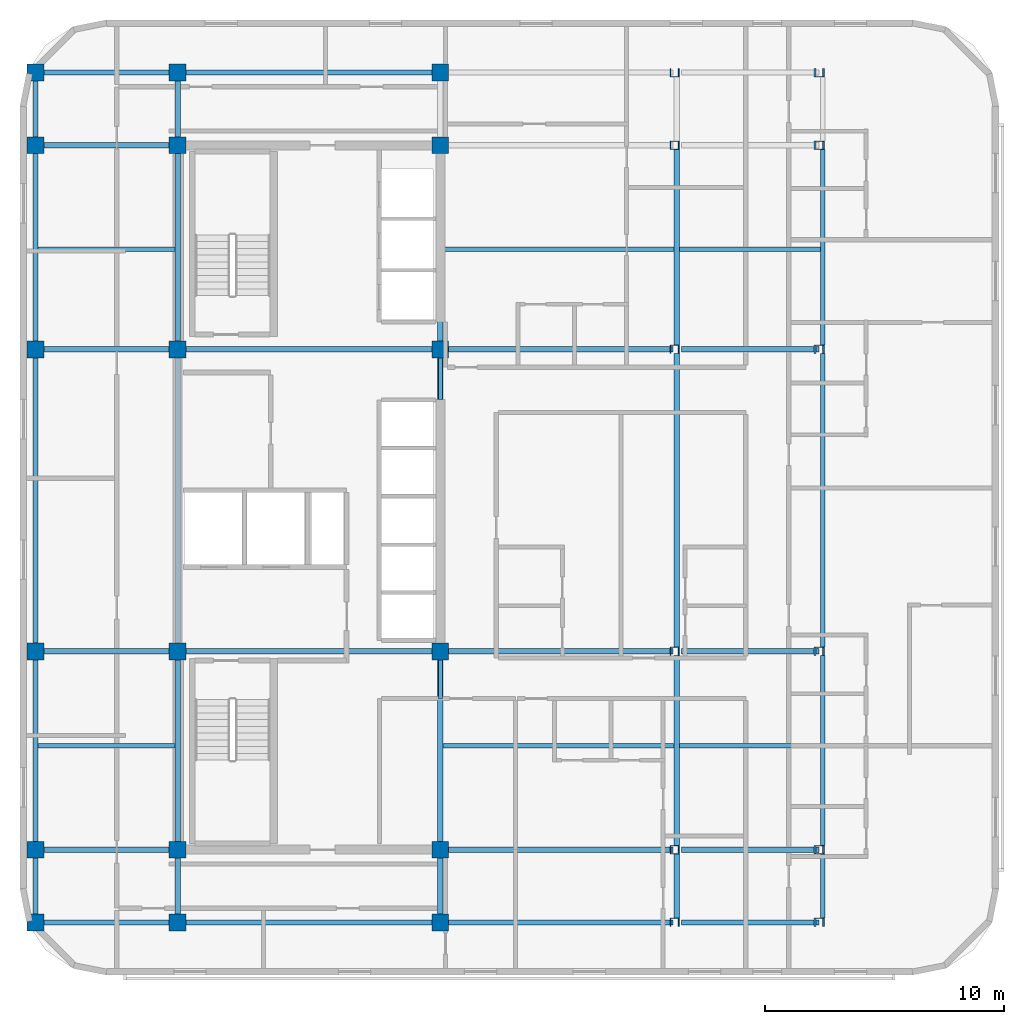
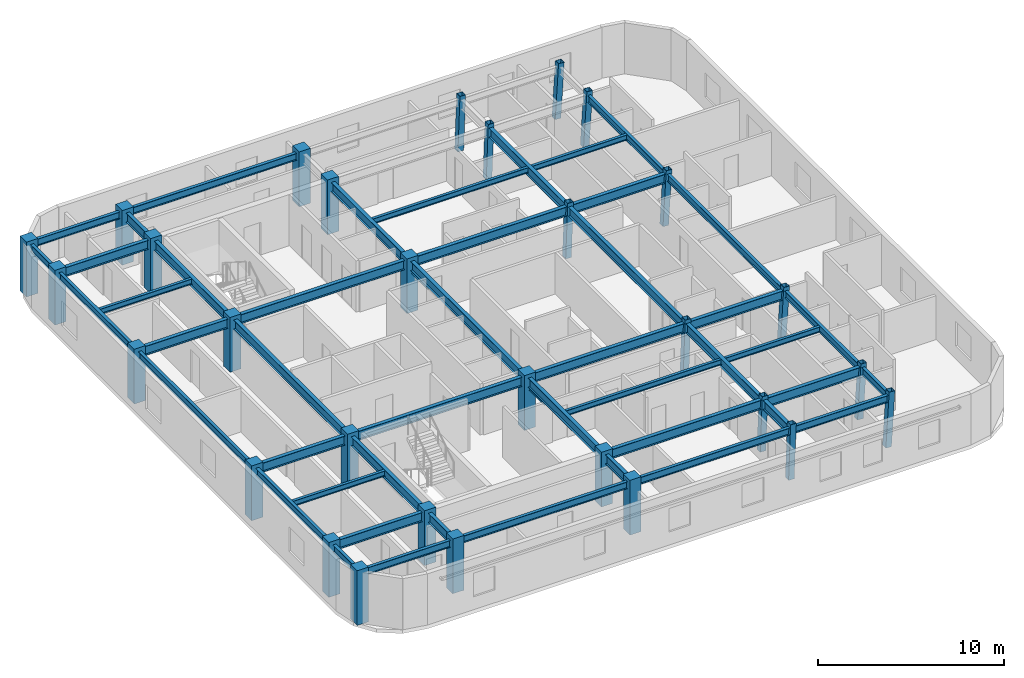
# One storey, part 1 of 10: 48 beams, 30 columns.
"""IFC4 building model written with IfcOpenShell, lengths in metres."""

from ifc_helpers import new_model, si_unit, direction, frame, origin, origin_2d, place, context, subcontext, project, spatial, rectangle, hollow_rectangle, i_section, extrude, material, material_profile, profile_set, type_object, element, save


model = new_model("IFC4")

# Units and contexts
model_context = context("Model", 3, precision=1e-05, world=origin(), true_north=direction((0.0, 1.0)))
body_context = subcontext(model_context, "Body", "Model", "MODEL_VIEW")
ifc_project = project(units=[si_unit("LENGTHUNIT", "METRE"), si_unit("AREAUNIT", "SQUARE_METRE"), si_unit("VOLUMEUNIT", "CUBIC_METRE"), si_unit("PLANEANGLEUNIT", "RADIAN"), si_unit("MASSUNIT", "GRAM", prefix="KILO")], contexts=[model_context])

# Site, building, storey
site_placement = place(None, origin())
site = spatial("IfcSite", under=ifc_project, at=site_placement, CompositionType="ELEMENT")
building_placement = place(site_placement, origin())
building = spatial("IfcBuilding", under=site, at=building_placement, Name="Ochreholt Gables", CompositionType="ELEMENT")
storey_placement = place(building_placement, frame((0.0, 0.0, 144.60009765625)))
storey = spatial("IfcBuildingStorey", under=building, at=storey_placement, Name="L37", CompositionType="ELEMENT", Elevation=144.60009765625)

# Columns
ifc_material_1 = material(Name="Steel CSA G40.21 350W", Category="steel")
ifc_material_profile_1 = material_profile(ifc_material_1, hollow_rectangle(XDim=0.35595703125, YDim=0.35595703125, WallThickness=0.01611328125, at=origin_2d()), Name="HSS356X356X16")
ifc_profile_set_1 = profile_set([ifc_material_profile_1], Name="Steel CSA G40.21 350W")
column_type_1 = type_object("IfcColumnType", Name="COL-HSS356-RAK", PredefinedType="COLUMN", material=ifc_profile_set_1)
for number, where, z_axis, x_axis, name in (
    (1, (44.9970703125, 9.25, 0.0), (0.034973505036, 0.0, 0.999388239847), (0.0, 1.0, 0.0), "L37 Column EMY2"),
    (2, (44.9970703125, 17.550048828125, 0.0), (0.034973505036, 0.0, 0.999388239847), (0.0, 1.0, 0.0), "L37 Column EMY3"),
    (3, (44.9970703125, 30.199951171875, 0.0), (0.034973505036, 0.0, 0.999388239847), (0.0, 1.0, 0.0), "L37 Column EMY4"),
    (4, (44.9970703125, 38.75, 0.0), (0.034973505036, 0.0, 0.999388239847), (0.0, 1.0, 0.0), "L37 Column EMY5"),
):
    element("IfcColumn", number, at=place(storey_placement, frame(where, z_axis=z_axis, x_axis=x_axis)), inside=storey, type_object=column_type_1, Name=name, PredefinedType="COLUMN", context=body_context, shape_type="SweptSolid", body=[
        extrude(hollow_rectangle(XDim=0.35595703125, YDim=0.35595703125, WallThickness=0.01611328125, at=origin_2d()), origin(), (0.0, 0.0, 1.0), 3.60205078125),
    ])
ifc_material_profile_2 = material_profile(ifc_material_1, hollow_rectangle(XDim=0.35595703125, YDim=0.35595703125, WallThickness=0.01611328125, at=origin_2d()), Name="HSS356X356X16")
ifc_profile_set_2 = profile_set([ifc_material_profile_2], Name="Steel CSA G40.21 350W")
column_type_2 = type_object("IfcColumnType", Name="COL-HSS356-RAKE", PredefinedType="COLUMN", material=ifc_profile_set_2)
for number, where, z_axis, x_axis, name in (
    (5, (44.9970703125, 6.199951171875, 0.0), (0.034973505036, 0.0, 0.999388239847), (0.0, 1.0, 0.0), "L37 Column EMY1"),
    (6, (44.9970703125, 41.800048828125, 0.0), (0.034973505036, 0.0, 0.999388239847), (0.0, 1.0, 0.0), "L37 Column EMY6"),
):
    element("IfcColumn", number, at=place(storey_placement, frame(where, z_axis=z_axis, x_axis=x_axis)), inside=storey, type_object=column_type_2, Name=name, PredefinedType="COLUMN", context=body_context, shape_type="SweptSolid", body=[
        extrude(hollow_rectangle(XDim=0.35595703125, YDim=0.35595703125, WallThickness=0.01611328125, at=origin_2d()), origin(), (0.0, 0.0, 1.0), 3.60205078125),
    ])
for number, where, z_axis, x_axis, name in (
    (7, (51.043701171875, 6.199951171875, 0.0), (0.057888518877, 0.0, 0.998323053617), (0.0, 1.0, 0.0), "L37 Column EEY1"),
    (8, (51.043701171875, 9.25, 0.0), (0.057888518877, 0.0, 0.998323053617), (0.0, 1.0, 0.0), "L37 Column EEY2"),
    (9, (51.043701171875, 17.550048828125, 0.0), (0.057888518877, 0.0, 0.998323053617), (0.0, 1.0, 0.0), "L37 Column EEY3"),
    (10, (51.043701171875, 30.199951171875, 0.0), (0.057888518877, 0.0, 0.998323053617), (0.0, 1.0, 0.0), "L37 Column EEY4"),
    (11, (51.043701171875, 38.75, 0.0), (0.057888518877, 0.0, 0.998323053617), (0.0, 1.0, 0.0), "L37 Column EEY5"),
    (12, (51.043701171875, 41.800048828125, 0.0), (0.057888518877, 0.0, 0.998323053617), (0.0, 1.0, 0.0), "L37 Column EEY6"),
):
    element("IfcColumn", number, at=place(storey_placement, frame(where, z_axis=z_axis, x_axis=x_axis)), inside=storey, type_object=column_type_2, Name=name, PredefinedType="COLUMN", context=body_context, shape_type="SweptSolid", body=[
        extrude(hollow_rectangle(XDim=0.35595703125, YDim=0.35595703125, WallThickness=0.01611328125, at=origin_2d()), origin(), (0.0, 0.0, 1.0), 3.60595703125),
    ])
ifc_material_2 = material(Name="Concrete 50 MPa", Category="concrete")
ifc_material_profile_3 = material_profile(ifc_material_2, rectangle(XDim=0.699951171875, YDim=0.699951171875, at=origin_2d()), Name="RC700X700")
ifc_profile_set_3 = profile_set([ifc_material_profile_3], Name="Concrete 50 MPa")
column_type_3 = type_object("IfcColumnType", Name="COL-RC700-EXT", PredefinedType="COLUMN", material=ifc_profile_set_3)
for number, where, z_axis, x_axis, name in (
    (13, (18.25, 6.199951171875, 0.0), (0.0, 0.0, 1.0), (1.0, 0.0, 0.0), "L37 Column W3Y1"),
    (14, (18.25, 9.25, 0.0), (0.0, 0.0, 1.0), (1.0, 0.0, 0.0), "L37 Column W3Y2"),
    (15, (18.25, 17.550048828125, 0.0), (0.0, 0.0, 1.0), (1.0, 0.0, 0.0), "L37 Column W3Y3"),
    (16, (18.25, 30.199951171875, 0.0), (0.0, 0.0, 1.0), (1.0, 0.0, 0.0), "L37 Column W3Y4"),
    (17, (18.25, 38.75, 0.0), (0.0, 0.0, 1.0), (1.0, 0.0, 0.0), "L37 Column W3Y5"),
    (18, (18.25, 41.800048828125, 0.0), (0.0, 0.0, 1.0), (1.0, 0.0, 0.0), "L37 Column W3Y6"),
    (19, (24.199951171875, 6.199951171875, 0.0), (0.0, 0.0, 1.0), (1.0, 0.0, 0.0), "L37 Column C1Y1"),
    (20, (24.199951171875, 41.800048828125, 0.0), (0.0, 0.0, 1.0), (1.0, 0.0, 0.0), "L37 Column C1Y6"),
    (21, (35.199951171875, 6.199951171875, 0.0), (0.0, 0.0, 1.0), (1.0, 0.0, 0.0), "L37 Column C2Y1"),
    (22, (35.199951171875, 41.800048828125, 0.0), (0.0, 0.0, 1.0), (1.0, 0.0, 0.0), "L37 Column C2Y6"),
):
    element("IfcColumn", number, at=place(storey_placement, frame(where, z_axis=z_axis, x_axis=x_axis)), inside=storey, type_object=column_type_3, Name=name, PredefinedType="COLUMN", context=body_context, shape_type="SweptSolid", body=[
        extrude(rectangle(XDim=0.699951171875, YDim=0.699951171875, at=origin_2d()), origin(), (0.0, 0.0, 1.0), 3.599853515625),
    ])
ifc_material_profile_4 = material_profile(ifc_material_2, rectangle(XDim=0.699951171875, YDim=0.699951171875, at=origin_2d()), Name="RC700X700")
ifc_profile_set_4 = profile_set([ifc_material_profile_4], Name="Concrete 50 MPa")
column_type_4 = type_object("IfcColumnType", Name="COL-RC700-INT", PredefinedType="COLUMN", material=ifc_profile_set_4)
for number, where, z_axis, x_axis, name in (
    (23, (24.199951171875, 9.25, 0.0), (0.0, 0.0, 1.0), (1.0, 0.0, 0.0), "L37 Column C1Y2"),
    (24, (24.199951171875, 17.550048828125, 0.0), (0.0, 0.0, 1.0), (1.0, 0.0, 0.0), "L37 Column C1Y3"),
    (25, (24.199951171875, 30.199951171875, 0.0), (0.0, 0.0, 1.0), (1.0, 0.0, 0.0), "L37 Column C1Y4"),
    (26, (24.199951171875, 38.75, 0.0), (0.0, 0.0, 1.0), (1.0, 0.0, 0.0), "L37 Column C1Y5"),
    (27, (35.199951171875, 9.25, 0.0), (0.0, 0.0, 1.0), (1.0, 0.0, 0.0), "L37 Column C2Y2"),
    (28, (35.199951171875, 17.550048828125, 0.0), (0.0, 0.0, 1.0), (1.0, 0.0, 0.0), "L37 Column C2Y3"),
    (29, (35.199951171875, 30.199951171875, 0.0), (0.0, 0.0, 1.0), (1.0, 0.0, 0.0), "L37 Column C2Y4"),
    (30, (35.199951171875, 38.75, 0.0), (0.0, 0.0, 1.0), (1.0, 0.0, 0.0), "L37 Column C2Y5"),
):
    element("IfcColumn", number, at=place(storey_placement, frame(where, z_axis=z_axis, x_axis=x_axis)), inside=storey, type_object=column_type_4, Name=name, PredefinedType="COLUMN", context=body_context, shape_type="SweptSolid", body=[
        extrude(rectangle(XDim=0.699951171875, YDim=0.699951171875, at=origin_2d()), origin(), (0.0, 0.0, 1.0), 3.599853515625),
    ])

# Beams
ifc_material_profile_5 = material_profile(ifc_material_1, i_section(OverallWidth=0.22900390625, OverallDepth=0.612060546875, WebThickness=0.011962890625, FlangeThickness=0.01953125, at=origin_2d()), Name="W610X125")
ifc_profile_set_5 = profile_set([ifc_material_profile_5], Name="Steel CSA G40.21 350W")
beam_type_1 = type_object("IfcBeamType", Name="BM-G-W610B", PredefinedType="BEAM", material=ifc_profile_set_5)
beam_1_placement = place(storey_placement, frame((18.599609375, 9.25, 3.053955078125), z_axis=(1.0, 0.0, 0.0), x_axis=(0.0, 1.0, 0.0)))
element("IfcBeam", 31, at=beam_1_placement, inside=storey, type_object=beam_type_1, Name="L37 Beam TBG-L37-W3C1-Y2", PredefinedType="BEAM", context=body_context, shape_type="SweptSolid", body=[
    extrude(i_section(OverallWidth=0.22900390625, OverallDepth=0.612060546875, WebThickness=0.011962890625, FlangeThickness=0.01953125, at=origin_2d()), origin(), (0.0, 0.0, 1.0), 5.250732421875),
])
beam_2_placement = place(storey_placement, frame((35.549560546875, 9.25, 3.053955078125), z_axis=(1.0, 0.0, 0.0), x_axis=(0.0, 1.0, 0.0)))
element("IfcBeam", 32, at=beam_2_placement, inside=storey, type_object=beam_type_1, Name="L37 Beam TBG-L37-C2EM-Y2", PredefinedType="BEAM", context=body_context, shape_type="SweptSolid", body=[
    extrude(i_section(OverallWidth=0.22900390625, OverallDepth=0.612060546875, WebThickness=0.011962890625, FlangeThickness=0.01953125, at=origin_2d()), origin(), (0.0, 0.0, 1.0), 9.395751953125),
])
beam_3_placement = place(storey_placement, frame((45.300537109375, 9.25, 3.053955078125), z_axis=(1.0, 0.0, 0.0), x_axis=(0.0, 1.0, 0.0)))
element("IfcBeam", 33, at=beam_3_placement, inside=storey, type_object=beam_type_1, Name="L37 Beam TBG-L37-EMEE-Y2", PredefinedType="BEAM", context=body_context, shape_type="SweptSolid", body=[
    extrude(i_section(OverallWidth=0.22900390625, OverallDepth=0.612060546875, WebThickness=0.011962890625, FlangeThickness=0.01953125, at=origin_2d()), origin(), (0.0, 0.0, 1.0), 5.774169921875),
])
beam_4_placement = place(storey_placement, frame((18.599609375, 17.550048828125, 3.053955078125), z_axis=(1.0, 0.0, 0.0), x_axis=(0.0, 1.0, 0.0)))
element("IfcBeam", 34, at=beam_4_placement, inside=storey, type_object=beam_type_1, Name="L37 Beam TBG-L37-W3C1-Y3", PredefinedType="BEAM", context=body_context, shape_type="SweptSolid", body=[
    extrude(i_section(OverallWidth=0.22900390625, OverallDepth=0.612060546875, WebThickness=0.011962890625, FlangeThickness=0.01953125, at=origin_2d()), origin(), (0.0, 0.0, 1.0), 5.250732421875),
])
beam_5_placement = place(storey_placement, frame((24.549560546875, 17.550048828125, 3.053955078125), z_axis=(1.0, 0.0, 0.0), x_axis=(0.0, 1.0, 0.0)))
element("IfcBeam", 35, at=beam_5_placement, inside=storey, type_object=beam_type_1, Name="L37 Beam TBG-L37-C1C2-Y3", PredefinedType="BEAM", context=body_context, shape_type="SweptSolid", body=[
    extrude(i_section(OverallWidth=0.22900390625, OverallDepth=0.612060546875, WebThickness=0.011962890625, FlangeThickness=0.01953125, at=origin_2d()), origin(), (0.0, 0.0, 1.0), 10.30078125),
])
beam_6_placement = place(storey_placement, frame((35.549560546875, 17.550048828125, 3.053955078125), z_axis=(1.0, 0.0, 0.0), x_axis=(0.0, 1.0, 0.0)))
element("IfcBeam", 36, at=beam_6_placement, inside=storey, type_object=beam_type_1, Name="L37 Beam TBG-L37-C2EM-Y3", PredefinedType="BEAM", context=body_context, shape_type="SweptSolid", body=[
    extrude(i_section(OverallWidth=0.22900390625, OverallDepth=0.612060546875, WebThickness=0.011962890625, FlangeThickness=0.01953125, at=origin_2d()), origin(), (0.0, 0.0, 1.0), 9.395751953125),
])
beam_7_placement = place(storey_placement, frame((45.300537109375, 17.550048828125, 3.053955078125), z_axis=(1.0, 0.0, 0.0), x_axis=(0.0, 1.0, 0.0)))
element("IfcBeam", 37, at=beam_7_placement, inside=storey, type_object=beam_type_1, Name="L37 Beam TBG-L37-EMEE-Y3", PredefinedType="BEAM", context=body_context, shape_type="SweptSolid", body=[
    extrude(i_section(OverallWidth=0.22900390625, OverallDepth=0.612060546875, WebThickness=0.011962890625, FlangeThickness=0.01953125, at=origin_2d()), origin(), (0.0, 0.0, 1.0), 5.774169921875),
])
beam_8_placement = place(storey_placement, frame((18.599609375, 30.199951171875, 3.053955078125), z_axis=(1.0, 0.0, 0.0), x_axis=(0.0, 1.0, 0.0)))
element("IfcBeam", 38, at=beam_8_placement, inside=storey, type_object=beam_type_1, Name="L37 Beam TBG-L37-W3C1-Y4", PredefinedType="BEAM", context=body_context, shape_type="SweptSolid", body=[
    extrude(i_section(OverallWidth=0.22900390625, OverallDepth=0.612060546875, WebThickness=0.011962890625, FlangeThickness=0.01953125, at=origin_2d()), origin(), (0.0, 0.0, 1.0), 5.250732421875),
])
beam_9_placement = place(storey_placement, frame((24.549560546875, 30.199951171875, 3.053955078125), z_axis=(1.0, 0.0, 0.0), x_axis=(0.0, 1.0, 0.0)))
element("IfcBeam", 39, at=beam_9_placement, inside=storey, type_object=beam_type_1, Name="L37 Beam TBG-L37-C1C2-Y4", PredefinedType="BEAM", context=body_context, shape_type="SweptSolid", body=[
    extrude(i_section(OverallWidth=0.22900390625, OverallDepth=0.612060546875, WebThickness=0.011962890625, FlangeThickness=0.01953125, at=origin_2d()), origin(), (0.0, 0.0, 1.0), 10.30078125),
])
beam_10_placement = place(storey_placement, frame((35.549560546875, 30.199951171875, 3.053955078125), z_axis=(1.0, 0.0, 0.0), x_axis=(0.0, 1.0, 0.0)))
element("IfcBeam", 40, at=beam_10_placement, inside=storey, type_object=beam_type_1, Name="L37 Beam TBG-L37-C2EM-Y4", PredefinedType="BEAM", context=body_context, shape_type="SweptSolid", body=[
    extrude(i_section(OverallWidth=0.22900390625, OverallDepth=0.612060546875, WebThickness=0.011962890625, FlangeThickness=0.01953125, at=origin_2d()), origin(), (0.0, 0.0, 1.0), 9.395751953125),
])
beam_11_placement = place(storey_placement, frame((45.300537109375, 30.199951171875, 3.053955078125), z_axis=(1.0, 0.0, 0.0), x_axis=(0.0, 1.0, 0.0)))
element("IfcBeam", 41, at=beam_11_placement, inside=storey, type_object=beam_type_1, Name="L37 Beam TBG-L37-EMEE-Y4", PredefinedType="BEAM", context=body_context, shape_type="SweptSolid", body=[
    extrude(i_section(OverallWidth=0.22900390625, OverallDepth=0.612060546875, WebThickness=0.011962890625, FlangeThickness=0.01953125, at=origin_2d()), origin(), (0.0, 0.0, 1.0), 5.774169921875),
])
beam_12_placement = place(storey_placement, frame((18.599609375, 38.75, 3.053955078125), z_axis=(1.0, 0.0, 0.0), x_axis=(0.0, 1.0, 0.0)))
element("IfcBeam", 42, at=beam_12_placement, inside=storey, type_object=beam_type_1, Name="L37 Beam TBG-L37-W3C1-Y5", PredefinedType="BEAM", context=body_context, shape_type="SweptSolid", body=[
    extrude(i_section(OverallWidth=0.22900390625, OverallDepth=0.612060546875, WebThickness=0.011962890625, FlangeThickness=0.01953125, at=origin_2d()), origin(), (0.0, 0.0, 1.0), 5.250732421875),
])
beam_13_placement = place(storey_placement, frame((24.199951171875, 6.549560546875, 3.053955078125), z_axis=(0.0, 1.0, 0.0), x_axis=(-1.0, 0.0, 0.0)))
element("IfcBeam", 43, at=beam_13_placement, inside=storey, type_object=beam_type_1, Name="L37 Beam TBN-L37-C1-Y1Y2", PredefinedType="BEAM", context=body_context, shape_type="SweptSolid", body=[
    extrude(i_section(OverallWidth=0.22900390625, OverallDepth=0.612060546875, WebThickness=0.011962890625, FlangeThickness=0.01953125, at=origin_2d()), origin(), (0.0, 0.0, 1.0), 2.350830078125),
])
beam_14_placement = place(storey_placement, frame((24.199951171875, 9.599609375, 3.053955078125), z_axis=(0.0, 1.0, 0.0), x_axis=(-1.0, 0.0, 0.0)))
element("IfcBeam", 44, at=beam_14_placement, inside=storey, type_object=beam_type_1, Name="L37 Beam TBN-L37-C1-Y2Y3", PredefinedType="BEAM", context=body_context, shape_type="SweptSolid", body=[
    extrude(i_section(OverallWidth=0.22900390625, OverallDepth=0.612060546875, WebThickness=0.011962890625, FlangeThickness=0.01953125, at=origin_2d()), origin(), (0.0, 0.0, 1.0), 7.600830078125),
])
beam_15_placement = place(storey_placement, frame((24.199951171875, 17.899658203125, 3.053955078125), z_axis=(0.0, 1.0, 0.0), x_axis=(-1.0, 0.0, 0.0)))
element("IfcBeam", 45, at=beam_15_placement, inside=storey, type_object=beam_type_1, Name="L37 Beam TBN-L37-C1-Y3Y4", PredefinedType="BEAM", context=body_context, shape_type="SweptSolid", body=[
    extrude(i_section(OverallWidth=0.22900390625, OverallDepth=0.612060546875, WebThickness=0.011962890625, FlangeThickness=0.01953125, at=origin_2d()), origin(), (0.0, 0.0, 1.0), 11.95068359375),
])
beam_16_placement = place(storey_placement, frame((24.199951171875, 30.549560546875, 3.053955078125), z_axis=(0.0, 1.0, 0.0), x_axis=(-1.0, 0.0, 0.0)))
element("IfcBeam", 46, at=beam_16_placement, inside=storey, type_object=beam_type_1, Name="L37 Beam TBN-L37-C1-Y4Y5", PredefinedType="BEAM", context=body_context, shape_type="SweptSolid", body=[
    extrude(i_section(OverallWidth=0.22900390625, OverallDepth=0.612060546875, WebThickness=0.011962890625, FlangeThickness=0.01953125, at=origin_2d()), origin(), (0.0, 0.0, 1.0), 7.850830078125),
])
for number, where, z_axis, x_axis, name in (
    (47, (24.199951171875, 39.099609375, 3.053955078125), (0.0, 1.0, 0.0), (-1.0, 0.0, 0.0), "L37 Beam TBN-L37-C1-Y5Y6"),
    (48, (35.199951171875, 6.549560546875, 3.053955078125), (0.0, 1.0, 0.0), (-1.0, 0.0, 0.0), "L37 Beam TBN-L37-C2-Y1Y2"),
):
    element("IfcBeam", number, at=place(storey_placement, frame(where, z_axis=z_axis, x_axis=x_axis)), inside=storey, type_object=beam_type_1, Name=name, PredefinedType="BEAM", context=body_context, shape_type="SweptSolid", body=[
        extrude(i_section(OverallWidth=0.22900390625, OverallDepth=0.612060546875, WebThickness=0.011962890625, FlangeThickness=0.01953125, at=origin_2d()), origin(), (0.0, 0.0, 1.0), 2.350830078125),
    ])
beam_17_placement = place(storey_placement, frame((35.199951171875, 9.599609375, 3.053955078125), z_axis=(0.0, 1.0, 0.0), x_axis=(-1.0, 0.0, 0.0)))
element("IfcBeam", 49, at=beam_17_placement, inside=storey, type_object=beam_type_1, Name="L37 Beam TBN-L37-C2-Y2Y3", PredefinedType="BEAM", context=body_context, shape_type="SweptSolid", body=[
    extrude(i_section(OverallWidth=0.22900390625, OverallDepth=0.612060546875, WebThickness=0.011962890625, FlangeThickness=0.01953125, at=origin_2d()), origin(), (0.0, 0.0, 1.0), 7.600830078125),
])
beam_18_placement = place(storey_placement, frame((35.199951171875, 17.899658203125, 3.053955078125), z_axis=(0.0, 1.0, 0.0), x_axis=(-1.0, 0.0, 0.0)))
element("IfcBeam", 50, at=beam_18_placement, inside=storey, type_object=beam_type_1, Name="L37 Beam TBN-L37-C2-Y3Y4", PredefinedType="BEAM", context=body_context, shape_type="SweptSolid", body=[
    extrude(i_section(OverallWidth=0.22900390625, OverallDepth=0.612060546875, WebThickness=0.011962890625, FlangeThickness=0.01953125, at=origin_2d()), origin(), (0.0, 0.0, 1.0), 11.95068359375),
])
beam_19_placement = place(storey_placement, frame((35.199951171875, 30.549560546875, 3.053955078125), z_axis=(0.0, 1.0, 0.0), x_axis=(-1.0, 0.0, 0.0)))
element("IfcBeam", 51, at=beam_19_placement, inside=storey, type_object=beam_type_1, Name="L37 Beam TBN-L37-C2-Y4Y5", PredefinedType="BEAM", context=body_context, shape_type="SweptSolid", body=[
    extrude(i_section(OverallWidth=0.22900390625, OverallDepth=0.612060546875, WebThickness=0.011962890625, FlangeThickness=0.01953125, at=origin_2d()), origin(), (0.0, 0.0, 1.0), 7.850830078125),
])
beam_20_placement = place(storey_placement, frame((45.105712890625, 6.377685546875, 3.053955078125), z_axis=(0.0, 1.0, 0.0), x_axis=(-1.0, 0.0, 0.0)))
element("IfcBeam", 52, at=beam_20_placement, inside=storey, type_object=beam_type_1, Name="L37 Beam TBN-L37-EM-Y1Y2", PredefinedType="BEAM", context=body_context, shape_type="SweptSolid", body=[
    extrude(i_section(OverallWidth=0.22900390625, OverallDepth=0.612060546875, WebThickness=0.011962890625, FlangeThickness=0.01953125, at=origin_2d()), origin(), (0.0, 0.0, 1.0), 2.69482421875),
])
beam_21_placement = place(storey_placement, frame((45.105712890625, 9.427490234375, 3.053955078125), z_axis=(0.0, 1.0, 0.0), x_axis=(-1.0, 0.0, 0.0)))
element("IfcBeam", 53, at=beam_21_placement, inside=storey, type_object=beam_type_1, Name="L37 Beam TBN-L37-EM-Y2Y3", PredefinedType="BEAM", context=body_context, shape_type="SweptSolid", body=[
    extrude(i_section(OverallWidth=0.22900390625, OverallDepth=0.612060546875, WebThickness=0.011962890625, FlangeThickness=0.01953125, at=origin_2d()), origin(), (0.0, 0.0, 1.0), 7.94482421875),
])
beam_22_placement = place(storey_placement, frame((45.105712890625, 17.7275390625, 3.053955078125), z_axis=(0.0, 1.0, 0.0), x_axis=(-1.0, 0.0, 0.0)))
element("IfcBeam", 54, at=beam_22_placement, inside=storey, type_object=beam_type_1, Name="L37 Beam TBN-L37-EM-Y3Y4", PredefinedType="BEAM", context=body_context, shape_type="SweptSolid", body=[
    extrude(i_section(OverallWidth=0.22900390625, OverallDepth=0.612060546875, WebThickness=0.011962890625, FlangeThickness=0.01953125, at=origin_2d()), origin(), (0.0, 0.0, 1.0), 12.294921875),
])
beam_23_placement = place(storey_placement, frame((45.105712890625, 30.377685546875, 3.053955078125), z_axis=(0.0, 1.0, 0.0), x_axis=(-1.0, 0.0, 0.0)))
element("IfcBeam", 55, at=beam_23_placement, inside=storey, type_object=beam_type_1, Name="L37 Beam TBN-L37-EM-Y4Y5", PredefinedType="BEAM", context=body_context, shape_type="SweptSolid", body=[
    extrude(i_section(OverallWidth=0.22900390625, OverallDepth=0.612060546875, WebThickness=0.011962890625, FlangeThickness=0.01953125, at=origin_2d()), origin(), (0.0, 0.0, 1.0), 8.19482421875),
])
ifc_material_profile_6 = material_profile(ifc_material_1, i_section(OverallWidth=0.172119140625, OverallDepth=0.35791015625, WebThickness=0.0078125, FlangeThickness=0.01318359375, at=origin_2d()), Name="W360X57")
ifc_profile_set_6 = profile_set([ifc_material_profile_6], Name="Steel CSA G40.21 350W")
beam_type_2 = type_object("IfcBeamType", Name="BM-J-W360B", PredefinedType="JOIST", material=ifc_profile_set_6)
beam_24_placement = place(storey_placement, frame((18.345703125, 13.60009765625, 3.180908203125), z_axis=(1.0, 0.0, 0.0), x_axis=(0.0, 1.0, 0.0)))
element("IfcBeam", 56, at=beam_24_placement, inside=storey, type_object=beam_type_2, Name="L37 Beam TBJ-L37-J1-W3C1", PredefinedType="JOIST", context=body_context, shape_type="SweptSolid", body=[
    extrude(i_section(OverallWidth=0.172119140625, OverallDepth=0.35791015625, WebThickness=0.0078125, FlangeThickness=0.01318359375, at=origin_2d()), origin(), (0.0, 0.0, 1.0), 5.740234375),
])
beam_25_placement = place(storey_placement, frame((35.314208984375, 13.60009765625, 3.180908203125), z_axis=(1.0, 0.0, 0.0), x_axis=(0.0, 1.0, 0.0)))
element("IfcBeam", 57, at=beam_25_placement, inside=storey, type_object=beam_type_2, Name="L37 Beam TBJ-L37-J1-C2EM", PredefinedType="JOIST", context=body_context, shape_type="SweptSolid", body=[
    extrude(i_section(OverallWidth=0.172119140625, OverallDepth=0.35791015625, WebThickness=0.0078125, FlangeThickness=0.01318359375, at=origin_2d()), origin(), (0.0, 0.0, 1.0), 9.677490234375),
])
beam_26_placement = place(storey_placement, frame((45.219970703125, 13.60009765625, 3.180908203125), z_axis=(1.0, 0.0, 0.0), x_axis=(0.0, 1.0, 0.0)))
element("IfcBeam", 58, at=beam_26_placement, inside=storey, type_object=beam_type_2, Name="L37 Beam TBJ-L37-J1-EMEE", PredefinedType="JOIST", context=body_context, shape_type="SweptSolid", body=[
    extrude(i_section(OverallWidth=0.172119140625, OverallDepth=0.35791015625, WebThickness=0.0078125, FlangeThickness=0.01318359375, at=origin_2d()), origin(), (0.0, 0.0, 1.0), 5.908447265625),
])
beam_27_placement = place(storey_placement, frame((18.345703125, 34.39990234375, 3.180908203125), z_axis=(1.0, 0.0, 0.0), x_axis=(0.0, 1.0, 0.0)))
element("IfcBeam", 59, at=beam_27_placement, inside=storey, type_object=beam_type_2, Name="L37 Beam TBJ-L37-J2-W3C1", PredefinedType="JOIST", context=body_context, shape_type="SweptSolid", body=[
    extrude(i_section(OverallWidth=0.172119140625, OverallDepth=0.35791015625, WebThickness=0.0078125, FlangeThickness=0.01318359375, at=origin_2d()), origin(), (0.0, 0.0, 1.0), 5.740234375),
])
beam_28_placement = place(storey_placement, frame((35.314208984375, 34.39990234375, 3.180908203125), z_axis=(1.0, 0.0, 0.0), x_axis=(0.0, 1.0, 0.0)))
element("IfcBeam", 60, at=beam_28_placement, inside=storey, type_object=beam_type_2, Name="L37 Beam TBJ-L37-J2-C2EM", PredefinedType="JOIST", context=body_context, shape_type="SweptSolid", body=[
    extrude(i_section(OverallWidth=0.172119140625, OverallDepth=0.35791015625, WebThickness=0.0078125, FlangeThickness=0.01318359375, at=origin_2d()), origin(), (0.0, 0.0, 1.0), 9.677490234375),
])
beam_29_placement = place(storey_placement, frame((45.219970703125, 34.39990234375, 3.180908203125), z_axis=(1.0, 0.0, 0.0), x_axis=(0.0, 1.0, 0.0)))
element("IfcBeam", 61, at=beam_29_placement, inside=storey, type_object=beam_type_2, Name="L37 Beam TBJ-L37-J2-EMEE", PredefinedType="JOIST", context=body_context, shape_type="SweptSolid", body=[
    extrude(i_section(OverallWidth=0.172119140625, OverallDepth=0.35791015625, WebThickness=0.0078125, FlangeThickness=0.01318359375, at=origin_2d()), origin(), (0.0, 0.0, 1.0), 5.908447265625),
])
ifc_material_profile_7 = material_profile(ifc_material_1, i_section(OverallWidth=0.1650390625, OverallDepth=0.200927734375, WebThickness=0.006103515625, FlangeThickness=0.01025390625, at=origin_2d()), Name="W200X36")
ifc_profile_set_7 = profile_set([ifc_material_profile_7], Name="Steel CSA G40.21 350W")
beam_type_3 = type_object("IfcBeamType", Name="BM-LIN-W200", PredefinedType="LINTEL", material=ifc_profile_set_7)
beam_30_placement = place(storey_placement, frame((35.2099609375, 15.550048828125, 2.6474609375), z_axis=(0.0, 1.0, 0.0), x_axis=(-1.0, 0.0, 0.0)))
element("IfcBeam", 62, at=beam_30_placement, inside=storey, type_object=beam_type_3, Name="L37 Core Coupling Lintel CPS", PredefinedType="LINTEL", context=body_context, shape_type="SweptSolid", body=[
    extrude(i_section(OverallWidth=0.1650390625, OverallDepth=0.200927734375, WebThickness=0.006103515625, FlangeThickness=0.01025390625, at=origin_2d()), origin(), (0.0, 0.0, 1.0), 1.64990234375),
])
beam_31_placement = place(storey_placement, frame((35.2099609375, 28.10009765625, 2.6474609375), z_axis=(0.0, 1.0, 0.0), x_axis=(-1.0, 0.0, 0.0)))
element("IfcBeam", 63, at=beam_31_placement, inside=storey, type_object=beam_type_3, Name="L37 Core Coupling Lintel CPN", PredefinedType="LINTEL", context=body_context, shape_type="SweptSolid", body=[
    extrude(i_section(OverallWidth=0.1650390625, OverallDepth=0.200927734375, WebThickness=0.006103515625, FlangeThickness=0.01025390625, at=origin_2d()), origin(), (0.0, 0.0, 1.0), 1.75),
])
ifc_material_profile_8 = material_profile(ifc_material_1, i_section(OverallWidth=0.19189453125, OverallDepth=0.462890625, WebThickness=0.010498046875, FlangeThickness=0.017578125, at=origin_2d()), Name="W460X89")
ifc_profile_set_8 = profile_set([ifc_material_profile_8], Name="Steel CSA G40.21 350W")
beam_type_4 = type_object("IfcBeamType", Name="BM-SP-W460A", PredefinedType="SPANDREL", material=ifc_profile_set_8)
beam_32_placement = place(storey_placement, frame((18.599609375, 6.199951171875, 3.12841796875), z_axis=(1.0, 0.0, 0.0), x_axis=(0.0, 1.0, 0.0)))
element("IfcBeam", 64, at=beam_32_placement, inside=storey, type_object=beam_type_4, Name="L37 Beam TBG-L37-W3C1-Y1", PredefinedType="SPANDREL", context=body_context, shape_type="SweptSolid", body=[
    extrude(i_section(OverallWidth=0.19189453125, OverallDepth=0.462890625, WebThickness=0.010498046875, FlangeThickness=0.017578125, at=origin_2d()), origin(), (0.0, 0.0, 1.0), 5.250732421875),
])
beam_33_placement = place(storey_placement, frame((24.549560546875, 6.199951171875, 3.12841796875), z_axis=(1.0, 0.0, 0.0), x_axis=(0.0, 1.0, 0.0)))
element("IfcBeam", 65, at=beam_33_placement, inside=storey, type_object=beam_type_4, Name="L37 Beam TBG-L37-C1C2-Y1", PredefinedType="SPANDREL", context=body_context, shape_type="SweptSolid", body=[
    extrude(i_section(OverallWidth=0.19189453125, OverallDepth=0.462890625, WebThickness=0.010498046875, FlangeThickness=0.017578125, at=origin_2d()), origin(), (0.0, 0.0, 1.0), 10.30078125),
])
beam_34_placement = place(storey_placement, frame((35.549560546875, 6.199951171875, 3.12841796875), z_axis=(1.0, 0.0, 0.0), x_axis=(0.0, 1.0, 0.0)))
element("IfcBeam", 66, at=beam_34_placement, inside=storey, type_object=beam_type_4, Name="L37 Beam TBG-L37-C2EM-Y1", PredefinedType="SPANDREL", context=body_context, shape_type="SweptSolid", body=[
    extrude(i_section(OverallWidth=0.19189453125, OverallDepth=0.462890625, WebThickness=0.010498046875, FlangeThickness=0.017578125, at=origin_2d()), origin(), (0.0, 0.0, 1.0), 9.395751953125),
])
beam_35_placement = place(storey_placement, frame((45.300537109375, 6.199951171875, 3.12841796875), z_axis=(1.0, 0.0, 0.0), x_axis=(0.0, 1.0, 0.0)))
element("IfcBeam", 67, at=beam_35_placement, inside=storey, type_object=beam_type_4, Name="L37 Beam TBG-L37-EMEE-Y1", PredefinedType="SPANDREL", context=body_context, shape_type="SweptSolid", body=[
    extrude(i_section(OverallWidth=0.19189453125, OverallDepth=0.462890625, WebThickness=0.010498046875, FlangeThickness=0.017578125, at=origin_2d()), origin(), (0.0, 0.0, 1.0), 5.774169921875),
])
beam_36_placement = place(storey_placement, frame((18.599609375, 41.800048828125, 3.12841796875), z_axis=(1.0, 0.0, 0.0), x_axis=(0.0, 1.0, 0.0)))
element("IfcBeam", 68, at=beam_36_placement, inside=storey, type_object=beam_type_4, Name="L37 Beam TBG-L37-W3C1-Y6", PredefinedType="SPANDREL", context=body_context, shape_type="SweptSolid", body=[
    extrude(i_section(OverallWidth=0.19189453125, OverallDepth=0.462890625, WebThickness=0.010498046875, FlangeThickness=0.017578125, at=origin_2d()), origin(), (0.0, 0.0, 1.0), 5.250732421875),
])
beam_37_placement = place(storey_placement, frame((24.549560546875, 41.800048828125, 3.12841796875), z_axis=(1.0, 0.0, 0.0), x_axis=(0.0, 1.0, 0.0)))
element("IfcBeam", 69, at=beam_37_placement, inside=storey, type_object=beam_type_4, Name="L37 Beam TBG-L37-C1C2-Y6", PredefinedType="SPANDREL", context=body_context, shape_type="SweptSolid", body=[
    extrude(i_section(OverallWidth=0.19189453125, OverallDepth=0.462890625, WebThickness=0.010498046875, FlangeThickness=0.017578125, at=origin_2d()), origin(), (0.0, 0.0, 1.0), 10.30078125),
])
beam_38_placement = place(storey_placement, frame((18.25, 6.549560546875, 3.12841796875), z_axis=(0.0, 1.0, 0.0), x_axis=(-1.0, 0.0, 0.0)))
element("IfcBeam", 70, at=beam_38_placement, inside=storey, type_object=beam_type_4, Name="L37 Beam TBN-L37-W3-Y1Y2", PredefinedType="SPANDREL", context=body_context, shape_type="SweptSolid", body=[
    extrude(i_section(OverallWidth=0.19189453125, OverallDepth=0.462890625, WebThickness=0.010498046875, FlangeThickness=0.017578125, at=origin_2d()), origin(), (0.0, 0.0, 1.0), 2.350830078125),
])
beam_39_placement = place(storey_placement, frame((18.25, 9.599609375, 3.12841796875), z_axis=(0.0, 1.0, 0.0), x_axis=(-1.0, 0.0, 0.0)))
element("IfcBeam", 71, at=beam_39_placement, inside=storey, type_object=beam_type_4, Name="L37 Beam TBN-L37-W3-Y2Y3", PredefinedType="SPANDREL", context=body_context, shape_type="SweptSolid", body=[
    extrude(i_section(OverallWidth=0.19189453125, OverallDepth=0.462890625, WebThickness=0.010498046875, FlangeThickness=0.017578125, at=origin_2d()), origin(), (0.0, 0.0, 1.0), 7.600830078125),
])
beam_40_placement = place(storey_placement, frame((18.25, 17.899658203125, 3.12841796875), z_axis=(0.0, 1.0, 0.0), x_axis=(-1.0, 0.0, 0.0)))
element("IfcBeam", 72, at=beam_40_placement, inside=storey, type_object=beam_type_4, Name="L37 Beam TBN-L37-W3-Y3Y4", PredefinedType="SPANDREL", context=body_context, shape_type="SweptSolid", body=[
    extrude(i_section(OverallWidth=0.19189453125, OverallDepth=0.462890625, WebThickness=0.010498046875, FlangeThickness=0.017578125, at=origin_2d()), origin(), (0.0, 0.0, 1.0), 11.95068359375),
])
beam_41_placement = place(storey_placement, frame((18.25, 30.549560546875, 3.12841796875), z_axis=(0.0, 1.0, 0.0), x_axis=(-1.0, 0.0, 0.0)))
element("IfcBeam", 73, at=beam_41_placement, inside=storey, type_object=beam_type_4, Name="L37 Beam TBN-L37-W3-Y4Y5", PredefinedType="SPANDREL", context=body_context, shape_type="SweptSolid", body=[
    extrude(i_section(OverallWidth=0.19189453125, OverallDepth=0.462890625, WebThickness=0.010498046875, FlangeThickness=0.017578125, at=origin_2d()), origin(), (0.0, 0.0, 1.0), 7.850830078125),
])
beam_42_placement = place(storey_placement, frame((18.25, 39.099609375, 3.12841796875), z_axis=(0.0, 1.0, 0.0), x_axis=(-1.0, 0.0, 0.0)))
element("IfcBeam", 74, at=beam_42_placement, inside=storey, type_object=beam_type_4, Name="L37 Beam TBN-L37-W3-Y5Y6", PredefinedType="SPANDREL", context=body_context, shape_type="SweptSolid", body=[
    extrude(i_section(OverallWidth=0.19189453125, OverallDepth=0.462890625, WebThickness=0.010498046875, FlangeThickness=0.017578125, at=origin_2d()), origin(), (0.0, 0.0, 1.0), 2.350830078125),
])
beam_43_placement = place(storey_placement, frame((51.22412109375, 6.377685546875, 3.12841796875), z_axis=(0.0, 1.0, 0.0), x_axis=(-1.0, 0.0, 0.0)))
element("IfcBeam", 75, at=beam_43_placement, inside=storey, type_object=beam_type_4, Name="L37 Beam TBN-L37-EE-Y1Y2", PredefinedType="SPANDREL", context=body_context, shape_type="SweptSolid", body=[
    extrude(i_section(OverallWidth=0.19189453125, OverallDepth=0.462890625, WebThickness=0.010498046875, FlangeThickness=0.017578125, at=origin_2d()), origin(), (0.0, 0.0, 1.0), 2.69482421875),
])
beam_44_placement = place(storey_placement, frame((51.22412109375, 9.427490234375, 3.12841796875), z_axis=(0.0, 1.0, 0.0), x_axis=(-1.0, 0.0, 0.0)))
element("IfcBeam", 76, at=beam_44_placement, inside=storey, type_object=beam_type_4, Name="L37 Beam TBN-L37-EE-Y2Y3", PredefinedType="SPANDREL", context=body_context, shape_type="SweptSolid", body=[
    extrude(i_section(OverallWidth=0.19189453125, OverallDepth=0.462890625, WebThickness=0.010498046875, FlangeThickness=0.017578125, at=origin_2d()), origin(), (0.0, 0.0, 1.0), 7.94482421875),
])
beam_45_placement = place(storey_placement, frame((51.22412109375, 17.7275390625, 3.12841796875), z_axis=(0.0, 1.0, 0.0), x_axis=(-1.0, 0.0, 0.0)))
element("IfcBeam", 77, at=beam_45_placement, inside=storey, type_object=beam_type_4, Name="L37 Beam TBN-L37-EE-Y3Y4", PredefinedType="SPANDREL", context=body_context, shape_type="SweptSolid", body=[
    extrude(i_section(OverallWidth=0.19189453125, OverallDepth=0.462890625, WebThickness=0.010498046875, FlangeThickness=0.017578125, at=origin_2d()), origin(), (0.0, 0.0, 1.0), 12.294921875),
])
beam_46_placement = place(storey_placement, frame((51.22412109375, 30.377685546875, 3.12841796875), z_axis=(0.0, 1.0, 0.0), x_axis=(-1.0, 0.0, 0.0)))
element("IfcBeam", 78, at=beam_46_placement, inside=storey, type_object=beam_type_4, Name="L37 Beam TBN-L37-EE-Y4Y5", PredefinedType="SPANDREL", context=body_context, shape_type="SweptSolid", body=[
    extrude(i_section(OverallWidth=0.19189453125, OverallDepth=0.462890625, WebThickness=0.010498046875, FlangeThickness=0.017578125, at=origin_2d()), origin(), (0.0, 0.0, 1.0), 8.19482421875),
])

save(model, "model.ifc")
